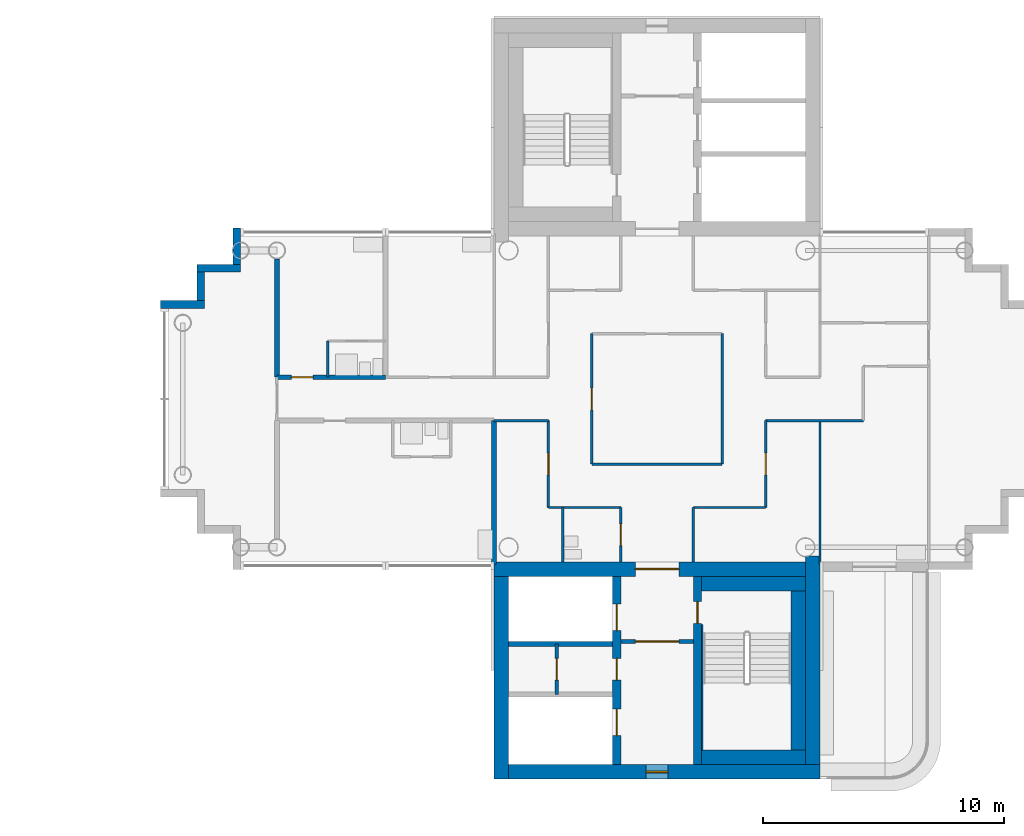
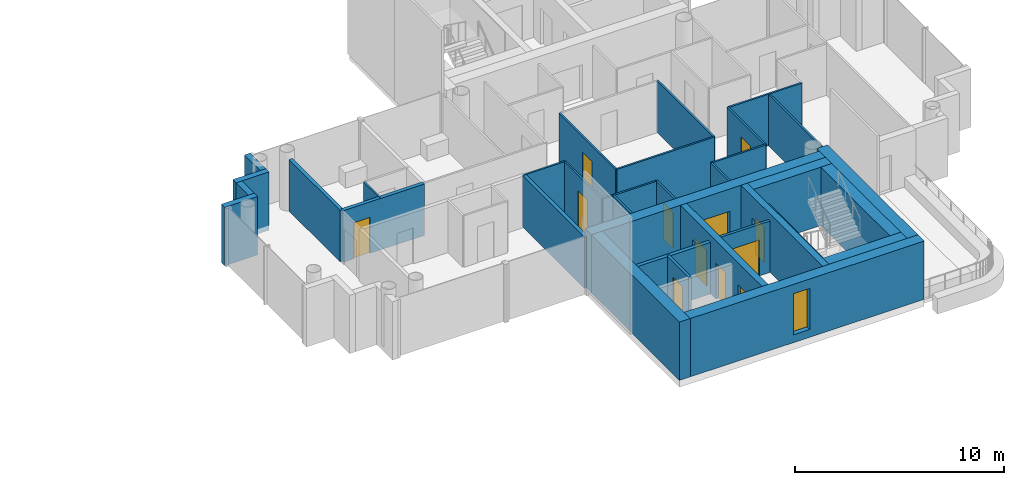
# One storey, part 9 of 18: 34 walls, 12 doors, 1 window, 13 openings.
"""IFC4 building model written with IfcOpenShell, lengths in metres."""

from ifc_helpers import new_model, si_unit, direction, frame, frame_2d, origin, place, context, subcontext, project, spatial, rectangle, extrude, material, layer, layer_set, type_object, element, fill, save


model = new_model("IFC4")

# Units and contexts
model_context = context("Model", 3, precision=1e-05, world=origin(), true_north=direction((0.0, 1.0)))
body_context = subcontext(model_context, "Body", "Model", "MODEL_VIEW")
ifc_project = project(units=[si_unit("LENGTHUNIT", "METRE"), si_unit("AREAUNIT", "SQUARE_METRE"), si_unit("VOLUMEUNIT", "CUBIC_METRE"), si_unit("PLANEANGLEUNIT", "RADIAN"), si_unit("MASSUNIT", "GRAM", prefix="KILO")], contexts=[model_context])

# Site, building, storey
site_placement = place(None, origin())
site = spatial("IfcSite", under=ifc_project, at=site_placement, CompositionType="ELEMENT")
building_placement = place(site_placement, origin())
building = spatial("IfcBuilding", under=site, at=building_placement, Name="Ipe Terrace Towers", CompositionType="ELEMENT")
storey_placement = place(building_placement, frame((0.0, 0.0, 213.0)))
storey = spatial("IfcBuildingStorey", under=building, at=storey_placement, Name="L59", CompositionType="ELEMENT", Elevation=213.0)

# Walls
ifc_material_1 = material(Name="Concrete C40/50 with buff precast cladding", Category="concrete")
ifc_layer_1 = layer(ifc_material_1, 0.320068359375)
ifc_layer_set_1 = layer_set([ifc_layer_1], Name="BUFF CLADDING WALL 320")
wall_type_1 = type_object("IfcWallType", Name="BUFF CLADDING WALL 320", PredefinedType="STANDARD", material=ifc_layer_set_1)
wall_1_placement = place(storey_placement, frame((18.590087890625, 7.070068359375, -0.300048828125), z_axis=(0.0, 0.0, 1.0), x_axis=(0.0, -1.0, 0.0)))
element("IfcWall", 1, at=wall_1_placement, inside=storey, type_object=wall_type_1, Name="T2-W-L59-22a wall", PredefinedType="STANDARD", context=body_context, shape_type="SweptSolid", body=[
    extrude(rectangle(XDim=1.5, YDim=0.320068359375, at=frame_2d((0.75, 0.0))), origin(), (0.0, 0.0, 1.0), 3.400146484375),
])
wall_2_placement = place(storey_placement, frame((18.75, 5.409912109375, -0.300048828125), z_axis=(0.0, 0.0, 1.0), x_axis=(-1.0, 0.0, 0.0)))
element("IfcWall", 2, at=wall_2_placement, inside=storey, type_object=wall_type_1, Name="T2-W-L59-23a wall", PredefinedType="STANDARD", context=body_context, shape_type="SweptSolid", body=[
    extrude(rectangle(XDim=1.820068359375, YDim=0.320068359375, at=frame_2d((0.91015625, 0.0))), origin(), (0.0, 0.0, 1.0), 3.400146484375),
])
wall_3_placement = place(storey_placement, frame((17.090087890625, 5.25, -0.300048828125), z_axis=(0.0, 0.0, 1.0), x_axis=(0.0, -1.0, 0.0)))
element("IfcWall", 3, at=wall_3_placement, inside=storey, type_object=wall_type_1, Name="T2-W-L59-24a wall", PredefinedType="STANDARD", context=body_context, shape_type="SweptSolid", body=[
    extrude(rectangle(XDim=1.179931640625, YDim=0.320068359375, at=frame_2d((0.58984375, 0.0))), origin(), (0.0, 0.0, 1.0), 3.400146484375),
])
wall_4_placement = place(storey_placement, frame((17.25, 3.909912109375, -0.300048828125), z_axis=(0.0, 0.0, 1.0), x_axis=(-1.0, 0.0, 0.0)))
element("IfcWall", 4, at=wall_4_placement, inside=storey, type_object=wall_type_1, Name="T2-W-L59-25a wall", PredefinedType="STANDARD", context=body_context, shape_type="SweptSolid", body=[
    extrude(rectangle(XDim=1.820068359375, YDim=0.320068359375, at=frame_2d((0.91015625, 0.0))), origin(), (0.0, 0.0, 1.0), 3.400146484375),
])
ifc_material_2 = material(Name="Gypsum board partition", Category="plasterboard")
ifc_layer_2 = layer(ifc_material_2, 0.10009765625)
ifc_layer_set_2 = layer_set([ifc_layer_2], Name="Gypsum board partition 100 mm")
wall_type_2 = type_object("IfcWallType", Name="Gypsum board partition 100 mm", PredefinedType="PARTITIONING", material=ifc_layer_set_2)
for number, where, z_axis, x_axis, name in (
    (5, (40.5, -4.5, 0.0), (0.0, 0.0, 1.0), (-1.0, 0.0, 0.0), "Gypsum board partition T2 L59 W01"),
    (6, (34.5, -4.5, 0.0), (0.0, 0.0, 1.0), (-1.0, 0.0, 0.0), "Gypsum board partition T2 L59 W02"),
):
    element("IfcWall", number, at=place(storey_placement, frame(where, z_axis=z_axis, x_axis=x_axis)), inside=storey, type_object=wall_type_2, Name=name, PredefinedType="PARTITIONING", context=body_context, shape_type="SweptSolid", body=[
        extrude(rectangle(XDim=3.0, YDim=0.10009765625, at=frame_2d((1.5, 0.0))), origin(), (0.0, 0.0, 1.0), 3.0),
    ])
wall_5_placement = place(storey_placement, frame((38.699951171875, -2.699951171875, 0.0), z_axis=(0.0, 0.0, 1.0), x_axis=(-1.0, 0.0, 0.0)))
element("IfcWall", 7, at=wall_5_placement, inside=storey, type_object=wall_type_2, Name="Gypsum board partition T2 L59 W03", PredefinedType="PARTITIONING", context=body_context, shape_type="SweptSolid", body=[
    extrude(rectangle(XDim=5.39990234375, YDim=0.10009765625, at=frame_2d((2.699951171875, 0.0))), origin(), (0.0, 0.0, 1.0), 3.0),
])
wall_6_placement = place(storey_placement, frame((44.550048828125, -0.89990234375, 0.0), z_axis=(0.0, 0.0, 1.0), x_axis=(-1.0, 0.0, 0.0)))
element("IfcWall", 8, at=wall_6_placement, inside=storey, type_object=wall_type_2, Name="Gypsum board partition T2 L59 W05", PredefinedType="PARTITIONING", context=body_context, shape_type="SweptSolid", body=[
    extrude(rectangle(XDim=4.050048828125, YDim=0.10009765625, at=frame_2d((2.02490234375, 0.0))), origin(), (0.0, 0.0, 1.0), 3.0),
])
wall_7_placement = place(storey_placement, frame((31.5, -0.89990234375, 0.0), z_axis=(0.0, 0.0, 1.0), x_axis=(-1.0, 0.0, 0.0)))
element("IfcWall", 9, at=wall_7_placement, inside=storey, type_object=wall_type_2, Name="Gypsum board partition T2 L59 W06", PredefinedType="PARTITIONING", context=body_context, shape_type="SweptSolid", body=[
    extrude(rectangle(XDim=2.25, YDim=0.10009765625, at=frame_2d((1.125, 0.0))), origin(), (0.0, 0.0, 1.0), 3.0),
])
wall_8_placement = place(storey_placement, frame((42.75, -6.85009765625, 0.0), z_axis=(0.0, 0.0, 1.0), x_axis=(0.0, 1.0, 0.0)))
element("IfcWall", 10, at=wall_8_placement, inside=storey, type_object=wall_type_2, Name="Gypsum board partition T2 L59 W19", PredefinedType="PARTITIONING", context=body_context, shape_type="SweptSolid", body=[
    extrude(rectangle(XDim=5.9501953125, YDim=0.10009765625, at=frame_2d((2.97509765625, 0.0))), origin(), (0.0, 0.0, 1.0), 3.0),
])

# Wall, opening, door
wall_9_placement = place(storey_placement, frame((40.5, -4.5, 0.0), z_axis=(0.0, 0.0, 1.0), x_axis=(0.0, 1.0, 0.0)))
wall_9 = element("IfcWall", 11, at=wall_9_placement, inside=storey, type_object=wall_type_2, Name="Gypsum board partition T2 L59 W21", PredefinedType="PARTITIONING", context=body_context, shape_type="SweptSolid", body=[
    extrude(rectangle(XDim=3.60009765625, YDim=0.10009765625, at=frame_2d((1.800048828125, 0.0))), origin(), (0.0, 0.0, 1.0), 3.0),
])
opening_1_placement = place(wall_9_placement, frame((1.35009765625, 0.0, 0.0)))
opening_1 = element("IfcOpeningElement", 12, at=opening_1_placement, cuts=wall_9, Name="Opening T2-Z4E-07", PredefinedType="OPENING", context=body_context, shape_type="SweptSolid", body=[
    extrude(rectangle(XDim=0.89990234375, YDim=2.10009765625, at=frame_2d((0.449951171875, 1.050048828125))), frame((0.0, 0.06005859375, 0.0), z_axis=(0.0, -1.0, 0.0), x_axis=(1.0, 0.0, 0.0)), (0.0, 0.0, 1.0), 0.1201171875),
])
ifc_material_3 = material(Name="Timber door leaf", Category="wood")
door_type_1 = type_object("IfcDoorType", Name="Lounge door 900 x 2100", OperationType="NOTDEFINED", PredefinedType="DOOR", material=ifc_material_3)
door_1_placement = place(opening_1_placement, origin())
door_1 = element("IfcDoor", 13, at=door_1_placement, inside=storey, type_object=door_type_1, Name="Lounge door T2-Z4E-07", OperationType="SINGLE_SWING_RIGHT", OverallHeight=2.10009765625, OverallWidth=0.89990234375, PredefinedType="DOOR", context=body_context, shape_type="SweptSolid", body=[
    extrude(rectangle(XDim=0.89990234375, YDim=2.10009765625, at=frame_2d((0.449951171875, 1.050048828125))), frame((0.0, 0.02490234375, 0.0), z_axis=(0.0, -1.0, 0.0), x_axis=(1.0, 0.0, 0.0)), (0.0, 0.0, 1.0), 0.050048828125),
])
fill(opening_1, door_1)

# Walls
wall_10_placement = place(storey_placement, frame((38.699951171875, -2.699951171875, 0.0), z_axis=(0.0, 0.0, 1.0), x_axis=(0.0, 1.0, 0.0)))
element("IfcWall", 14, at=wall_10_placement, inside=storey, type_object=wall_type_2, Name="Gypsum board partition T2 L59 W23", PredefinedType="PARTITIONING", context=body_context, shape_type="SweptSolid", body=[
    extrude(rectangle(XDim=5.39990234375, YDim=0.10009765625, at=frame_2d((2.699951171875, 0.0))), origin(), (0.0, 0.0, 1.0), 3.0),
])
wall_11_placement = place(storey_placement, frame((37.5, -6.75, 0.0), z_axis=(0.0, 0.0, 1.0), x_axis=(0.0, 1.0, 0.0)))
element("IfcWall", 15, at=wall_11_placement, inside=storey, type_object=wall_type_2, Name="Gypsum board partition T2 L59 W24", PredefinedType="PARTITIONING", context=body_context, shape_type="SweptSolid", body=[
    extrude(rectangle(XDim=2.25, YDim=0.10009765625, at=frame_2d((1.125, 0.0))), origin(), (0.0, 0.0, 1.0), 3.0),
])

# Wall, opening, door
wall_12_placement = place(storey_placement, frame((34.5, -6.75, 0.0), z_axis=(0.0, 0.0, 1.0), x_axis=(0.0, 1.0, 0.0)))
wall_12 = element("IfcWall", 16, at=wall_12_placement, inside=storey, type_object=wall_type_2, Name="Gypsum board partition T2 L59 W26", PredefinedType="PARTITIONING", context=body_context, shape_type="SweptSolid", body=[
    extrude(rectangle(XDim=2.25, YDim=0.10009765625, at=frame_2d((1.125, 0.0))), origin(), (0.0, 0.0, 1.0), 3.0),
])
opening_2_placement = place(wall_12_placement, frame((0.675048828125, 0.0, 0.0)))
opening_2 = element("IfcOpeningElement", 17, at=opening_2_placement, cuts=wall_12, Name="Opening T2-Z4E-03", PredefinedType="OPENING", context=body_context, shape_type="SweptSolid", body=[
    extrude(rectangle(XDim=0.89990234375, YDim=2.10009765625, at=frame_2d((0.449951171875, 1.050048828125))), frame((0.0, 0.06005859375, 0.0), z_axis=(0.0, -1.0, 0.0), x_axis=(1.0, 0.0, 0.0)), (0.0, 0.0, 1.0), 0.1201171875),
])
ifc_material_4 = material(Name="Timber door leaf", Category="wood")
door_type_2 = type_object("IfcDoorType", Name="Bathroom door 900 x 2100", OperationType="NOTDEFINED", PredefinedType="DOOR", material=ifc_material_4)
door_2_placement = place(opening_2_placement, origin())
door_2 = element("IfcDoor", 18, at=door_2_placement, inside=storey, type_object=door_type_2, Name="Bathroom door T2-Z4E-03", OperationType="SINGLE_SWING_LEFT", OverallHeight=2.10009765625, OverallWidth=0.89990234375, PredefinedType="DOOR", context=body_context, shape_type="SweptSolid", body=[
    extrude(rectangle(XDim=0.89990234375, YDim=2.10009765625, at=frame_2d((0.449951171875, 1.050048828125))), frame((0.0, 0.02490234375, 0.0), z_axis=(0.0, -1.0, 0.0), x_axis=(1.0, 0.0, 0.0)), (0.0, 0.0, 1.0), 0.050048828125),
])
fill(opening_2, door_2)

wall_13_placement = place(storey_placement, frame((33.300048828125, -2.699951171875, 0.0), z_axis=(0.0, 0.0, 1.0), x_axis=(0.0, 1.0, 0.0)))
wall_13 = element("IfcWall", 19, at=wall_13_placement, inside=storey, type_object=wall_type_2, Name="Gypsum board partition T2 L59 W28", PredefinedType="PARTITIONING", context=body_context, shape_type="SweptSolid", body=[
    extrude(rectangle(XDim=5.39990234375, YDim=0.10009765625, at=frame_2d((2.699951171875, 0.0))), origin(), (0.0, 0.0, 1.0), 3.0),
])
opening_3_placement = place(wall_13_placement, frame((2.25, 0.0, 0.0)))
opening_3 = element("IfcOpeningElement", 20, at=opening_3_placement, cuts=wall_13, Name="Opening T2-Z4E-01", PredefinedType="OPENING", context=body_context, shape_type="SweptSolid", body=[
    extrude(rectangle(XDim=0.89990234375, YDim=2.10009765625, at=frame_2d((0.449951171875, 1.050048828125))), frame((0.0, 0.06005859375, 0.0), z_axis=(0.0, -1.0, 0.0), x_axis=(1.0, 0.0, 0.0)), (0.0, 0.0, 1.0), 0.1201171875),
])
door_3_placement = place(opening_3_placement, origin())
door_3 = element("IfcDoor", 21, at=door_3_placement, inside=storey, type_object=door_type_1, Name="Lounge door T2-Z4E-01", OperationType="SINGLE_SWING_RIGHT", OverallHeight=2.10009765625, OverallWidth=0.89990234375, PredefinedType="DOOR", context=body_context, shape_type="SweptSolid", body=[
    extrude(rectangle(XDim=0.89990234375, YDim=2.10009765625, at=frame_2d((0.449951171875, 1.050048828125))), frame((0.0, 0.02490234375, 0.0), z_axis=(0.0, -1.0, 0.0), x_axis=(1.0, 0.0, 0.0)), (0.0, 0.0, 1.0), 0.050048828125),
])
fill(opening_3, door_3)

# Wall
wall_14_placement = place(storey_placement, frame((32.10009765625, -6.75, 0.0), z_axis=(0.0, 0.0, 1.0), x_axis=(0.0, 1.0, 0.0)))
element("IfcWall", 22, at=wall_14_placement, inside=storey, type_object=wall_type_2, Name="Gypsum board partition T2 L59 W29", PredefinedType="PARTITIONING", context=body_context, shape_type="SweptSolid", body=[
    extrude(rectangle(XDim=2.25, YDim=0.10009765625, at=frame_2d((1.125, 0.0))), origin(), (0.0, 0.0, 1.0), 3.0),
])

# Wall, opening, door
wall_15_placement = place(storey_placement, frame((31.5, -4.5, 0.0), z_axis=(0.0, 0.0, 1.0), x_axis=(0.0, 1.0, 0.0)))
wall_15 = element("IfcWall", 23, at=wall_15_placement, inside=storey, type_object=wall_type_2, Name="Gypsum board partition T2 L59 W30", PredefinedType="PARTITIONING", context=body_context, shape_type="SweptSolid", body=[
    extrude(rectangle(XDim=3.60009765625, YDim=0.10009765625, at=frame_2d((1.800048828125, 0.0))), origin(), (0.0, 0.0, 1.0), 3.0),
])
opening_4_placement = place(wall_15_placement, frame((1.35009765625, 0.0, 0.0)))
opening_4 = element("IfcOpeningElement", 24, at=opening_4_placement, cuts=wall_15, Name="Opening T2-Z4E-06", PredefinedType="OPENING", context=body_context, shape_type="SweptSolid", body=[
    extrude(rectangle(XDim=0.89990234375, YDim=2.10009765625, at=frame_2d((0.449951171875, 1.050048828125))), frame((0.0, 0.06005859375, 0.0), z_axis=(0.0, -1.0, 0.0), x_axis=(1.0, 0.0, 0.0)), (0.0, 0.0, 1.0), 0.1201171875),
])
door_4_placement = place(opening_4_placement, origin())
door_4 = element("IfcDoor", 25, at=door_4_placement, inside=storey, type_object=door_type_1, Name="Lounge door T2-Z4E-06", OperationType="SINGLE_SWING_RIGHT", OverallHeight=2.10009765625, OverallWidth=0.89990234375, PredefinedType="DOOR", context=body_context, shape_type="SweptSolid", body=[
    extrude(rectangle(XDim=0.89990234375, YDim=2.10009765625, at=frame_2d((0.449951171875, 1.050048828125))), frame((0.0, 0.02490234375, 0.0), z_axis=(0.0, -1.0, 0.0), x_axis=(1.0, 0.0, 0.0)), (0.0, 0.0, 1.0), 0.050048828125),
])
fill(opening_4, door_4)

# Wall
wall_16_placement = place(storey_placement, frame((22.35009765625, 0.89990234375, 0.0), z_axis=(0.0, 0.0, 1.0), x_axis=(0.0, 1.0, 0.0)))
element("IfcWall", 26, at=wall_16_placement, inside=storey, type_object=wall_type_2, Name="Gypsum board partition T2 L59 W37", PredefinedType="PARTITIONING", context=body_context, shape_type="SweptSolid", body=[
    extrude(rectangle(XDim=1.5, YDim=0.10009765625, at=frame_2d((0.75, 0.0))), origin(), (0.0, 0.0, 1.0), 3.0),
])

# Wall, opening, door
ifc_material_5 = material(Name="Gypsum board partition", Category="plasterboard")
ifc_layer_3 = layer(ifc_material_5, 0.14990234375)
ifc_layer_set_3 = layer_set([ifc_layer_3], Name="Gypsum board partition 150 mm")
wall_type_3 = type_object("IfcWallType", Name="Gypsum board partition 150 mm", PredefinedType="PARTITIONING", material=ifc_layer_set_3)
wall_17_placement = place(storey_placement, frame((34.5, -10.050048828125, 0.0), z_axis=(0.0, 0.0, 1.0), x_axis=(1.0, 0.0, 0.0)))
wall_17 = element("IfcWall", 27, at=wall_17_placement, inside=storey, type_object=wall_type_3, Name="Gypsum board partition T2 L59 t2c2-lobby-wall", PredefinedType="PARTITIONING", context=body_context, shape_type="SweptSolid", body=[
    extrude(rectangle(XDim=3.0, YDim=0.14990234375, at=frame_2d((1.5, 0.0))), origin(), (0.0, 0.0, 1.0), 3.0),
])
opening_5_placement = place(wall_17_placement, frame((0.60009765625, 0.0, 0.0)))
opening_5 = element("IfcOpeningElement", 28, at=opening_5_placement, cuts=wall_17, Name="Opening T2C2-VD", PredefinedType="OPENING", context=body_context, shape_type="SweptSolid", body=[
    extrude(rectangle(XDim=1.800048828125, YDim=2.10009765625, at=frame_2d((0.89990234375, 1.050048828125))), frame((0.0, 0.0849609375, 0.0), z_axis=(0.0, -1.0, 0.0), x_axis=(1.0, 0.0, 0.0)), (0.0, 0.0, 1.0), 0.169921875),
])
ifc_material_6 = material(Name="Fire-rated timber door leaf", Category="wood")
door_type_3 = type_object("IfcDoorType", Name="Lobby door 1800 x 2100 FD60", OperationType="NOTDEFINED", PredefinedType="DOOR", material=ifc_material_6)
door_5_placement = place(opening_5_placement, origin())
door_5 = element("IfcDoor", 29, at=door_5_placement, inside=storey, type_object=door_type_3, Name="Lobby door T2C2-VD", OperationType="SINGLE_SWING_LEFT", OverallHeight=2.10009765625, OverallWidth=1.800048828125, PredefinedType="DOOR", context=body_context, shape_type="SweptSolid", body=[
    extrude(rectangle(XDim=1.800048828125, YDim=2.10009765625, at=frame_2d((0.89990234375, 1.050048828125))), frame((0.0, 0.02490234375, 0.0), z_axis=(0.0, -1.0, 0.0), x_axis=(1.0, 0.0, 0.0)), (0.0, 0.0, 1.0), 0.050048828125),
])
fill(opening_5, door_5)

wall_18_placement = place(storey_placement, frame((31.85009765625, -10.14990234375, 0.0), z_axis=(0.0, 0.0, 1.0), x_axis=(0.0, -1.0, 0.0)))
wall_18 = element("IfcWall", 30, at=wall_18_placement, inside=storey, type_object=wall_type_3, Name="Gypsum board partition T2 L59 t2c2-q-back", PredefinedType="PARTITIONING", context=body_context, shape_type="SweptSolid", body=[
    extrude(rectangle(XDim=2.10009765625, YDim=0.14990234375, at=frame_2d((1.050048828125, 0.0))), origin(), (0.0, 0.0, 1.0), 3.0),
])
opening_6_placement = place(wall_18_placement, frame((0.60009765625, 0.0, 0.0)))
opening_6 = element("IfcOpeningElement", 31, at=opening_6_placement, cuts=wall_18, Name="Opening T2C2-RB-FD30S", PredefinedType="OPENING", context=body_context, shape_type="SweptSolid", body=[
    extrude(rectangle(XDim=0.89990234375, YDim=2.10009765625, at=frame_2d((0.449951171875, 1.050048828125))), frame((0.0, 0.0849609375, 0.0), z_axis=(0.0, -1.0, 0.0), x_axis=(1.0, 0.0, 0.0)), (0.0, 0.0, 1.0), 0.169921875),
])
ifc_material_7 = material(Name="Fire-rated timber door leaf", Category="wood")
door_type_4 = type_object("IfcDoorType", Name="Service door 900 x 2100 FD30S", OperationType="NOTDEFINED", PredefinedType="DOOR", material=ifc_material_7)
door_6_placement = place(opening_6_placement, origin())
door_6 = element("IfcDoor", 32, at=door_6_placement, inside=storey, type_object=door_type_4, Name="Service door T2C2-RB-FD30S", OperationType="SINGLE_SWING_LEFT", OverallHeight=2.10009765625, OverallWidth=0.89990234375, PredefinedType="DOOR", context=body_context, shape_type="SweptSolid", body=[
    extrude(rectangle(XDim=0.89990234375, YDim=2.10009765625, at=frame_2d((0.449951171875, 1.050048828125))), frame((0.0, 0.02490234375, 0.0), z_axis=(0.0, -1.0, 0.0), x_axis=(1.0, 0.0, 0.0)), (0.0, 0.0, 1.0), 0.050048828125),
])
fill(opening_6, door_6)

# Wall
ifc_material_8 = material(Name="Gypsum board party wall", Category="plasterboard")
ifc_layer_4 = layer(ifc_material_8, 0.199951171875)
ifc_layer_set_4 = layer_set([ifc_layer_4], Name="Gypsum board party wall 200 mm")
wall_type_4 = type_object("IfcWallType", Name="Gypsum board party wall 200 mm", PredefinedType="SOLIDWALL", material=ifc_layer_set_4)
wall_19_placement = place(storey_placement, frame((29.85009765625, -10.14990234375, 0.0), z_axis=(0.0, 0.0, 1.0), x_axis=(1.0, 0.0, 0.0)))
element("IfcWall", 33, at=wall_19_placement, inside=storey, type_object=wall_type_4, Name="Gypsum board party wall T2 L59 t2c2-shaft-div1", PredefinedType="SOLIDWALL", context=body_context, shape_type="SweptSolid", body=[
    extrude(rectangle(XDim=4.2998046875, YDim=0.199951171875, at=frame_2d((2.14990234375, 0.0))), origin(), (0.0, 0.0, 1.0), 3.0),
])

# Wall, opening, door
wall_20_placement = place(storey_placement, frame((24.75, 0.89990234375, 0.0), z_axis=(0.0, 0.0, 1.0), x_axis=(-1.0, 0.0, 0.0)))
wall_20 = element("IfcWall", 34, at=wall_20_placement, inside=storey, type_object=wall_type_4, Name="Gypsum board party wall T2 L59 W10", PredefinedType="SOLIDWALL", context=body_context, shape_type="SweptSolid", body=[
    extrude(rectangle(XDim=4.5, YDim=0.199951171875, at=frame_2d((2.25, 0.0))), origin(), (0.0, 0.0, 1.0), 3.0),
])
opening_7_placement = place(wall_20_placement, frame((3.0, 0.0, 0.0)))
opening_7 = element("IfcOpeningElement", 35, at=opening_7_placement, cuts=wall_20, Name="Opening T2-Z4E-13", PredefinedType="OPENING", context=body_context, shape_type="SweptSolid", body=[
    extrude(rectangle(XDim=0.89990234375, YDim=2.10009765625, at=frame_2d((0.449951171875, 1.050048828125))), frame((0.0, 0.10986328125, 0.0), z_axis=(0.0, -1.0, 0.0), x_axis=(1.0, 0.0, 0.0)), (0.0, 0.0, 1.0), 0.219970703125),
])
ifc_material_9 = material(Name="Fire-rated timber door leaf", Category="wood")
door_type_5 = type_object("IfcDoorType", Name="Flat entrance door 900 x 2100 FD30S", OperationType="NOTDEFINED", PredefinedType="DOOR", material=ifc_material_9)
door_7_placement = place(opening_7_placement, origin())
door_7 = element("IfcDoor", 36, at=door_7_placement, inside=storey, type_object=door_type_5, Name="Flat entrance door T2-Z4E-13", OperationType="SINGLE_SWING_RIGHT", OverallHeight=2.10009765625, OverallWidth=0.89990234375, PredefinedType="DOOR", context=body_context, shape_type="SweptSolid", body=[
    extrude(rectangle(XDim=0.89990234375, YDim=2.10009765625, at=frame_2d((0.449951171875, 1.050048828125))), frame((0.0, 0.02490234375, 0.0), z_axis=(0.0, -1.0, 0.0), x_axis=(1.0, 0.0, 0.0)), (0.0, 0.0, 1.0), 0.050048828125),
])
fill(opening_7, door_7)

# Walls
wall_21_placement = place(storey_placement, frame((29.25, -6.85009765625, 0.0), z_axis=(0.0, 0.0, 1.0), x_axis=(0.0, 1.0, 0.0)))
element("IfcWall", 37, at=wall_21_placement, inside=storey, type_object=wall_type_4, Name="Gypsum board party wall T2 L59 W33", PredefinedType="SOLIDWALL", context=body_context, shape_type="SweptSolid", body=[
    extrude(rectangle(XDim=5.9501953125, YDim=0.199951171875, at=frame_2d((2.97509765625, 0.0))), origin(), (0.0, 0.0, 1.0), 3.0),
])
wall_22_placement = place(storey_placement, frame((20.25, 0.89990234375, 0.0), z_axis=(0.0, 0.0, 1.0), x_axis=(0.0, 1.0, 0.0)))
element("IfcWall", 38, at=wall_22_placement, inside=storey, type_object=wall_type_4, Name="Gypsum board party wall T2 L59 W40", PredefinedType="SOLIDWALL", context=body_context, shape_type="SweptSolid", body=[
    extrude(rectangle(XDim=4.900146484375, YDim=0.199951171875, at=frame_2d((2.4501953125, 0.0))), origin(), (0.0, 0.0, 1.0), 3.0),
])

# Wall, openings, doors
ifc_material_10 = material(Name="Concrete C40/50", Category="concrete")
ifc_layer_5 = layer(ifc_material_10, 0.35009765625)
ifc_layer_set_5 = layer_set([ifc_layer_5], Name="RW350 CORE SPINE WALL 350 C40-50")
wall_type_5 = type_object("IfcWallType", Name="RW350 CORE SPINE WALL 350 C40-50", PredefinedType="SHEAR", material=ifc_layer_set_5)
wall_23_placement = place(storey_placement, frame((34.324951171875, -15.14990234375, 0.0), z_axis=(0.0, 0.0, 1.0), x_axis=(0.0, 1.0, 0.0)))
wall_23 = element("IfcWall", 39, at=wall_23_placement, inside=storey, type_object=wall_type_5, Name="Core spine wall T2-C2-Z4-SW1", PredefinedType="SHEAR", context=body_context, shape_type="SweptSolid", body=[
    extrude(rectangle(XDim=7.7998046875, YDim=0.35009765625, at=frame_2d((3.89990234375, 0.0))), origin(), (0.0, 0.0, 1.0), 3.39990234375),
])
opening_8_placement = place(wall_23_placement, frame((5.550048828125, 0.0, 0.0)))
opening_8 = element("IfcOpeningElement", 40, at=opening_8_placement, cuts=wall_23, Name="Opening T2C2-LD1", PredefinedType="OPENING", context=body_context, shape_type="SweptSolid", body=[
    extrude(rectangle(XDim=1.10009765625, YDim=2.10009765625, at=frame_2d((0.550048828125, 1.050048828125))), frame((0.0, 0.18505859375, 0.0), z_axis=(0.0, -1.0, 0.0), x_axis=(1.0, 0.0, 0.0)), (0.0, 0.0, 1.0), 0.3701171875),
])
opening_9_placement = place(wall_23_placement, frame((1.199951171875, 0.0, 0.0)))
opening_9 = element("IfcOpeningElement", 41, at=opening_9_placement, cuts=wall_23, Name="Opening T2C2-LD3", PredefinedType="OPENING", context=body_context, shape_type="SweptSolid", body=[
    extrude(rectangle(XDim=1.10009765625, YDim=2.10009765625, at=frame_2d((0.550048828125, 1.050048828125))), frame((0.0, 0.18505859375, 0.0), z_axis=(0.0, -1.0, 0.0), x_axis=(1.0, 0.0, 0.0)), (0.0, 0.0, 1.0), 0.3701171875),
])
opening_10_placement = place(wall_23_placement, frame((3.5, 0.0, 0.0)))
opening_10 = element("IfcOpeningElement", 42, at=opening_10_placement, cuts=wall_23, Name="Opening T2C2-R1", PredefinedType="OPENING", context=body_context, shape_type="SweptSolid", body=[
    extrude(rectangle(XDim=0.89990234375, YDim=2.10009765625, at=frame_2d((0.449951171875, 1.050048828125))), frame((0.0, 0.18505859375, 0.0), z_axis=(0.0, -1.0, 0.0), x_axis=(1.0, 0.0, 0.0)), (0.0, 0.0, 1.0), 0.3701171875),
])
ifc_material_11 = material(Name="Fire-rated timber door leaf", Category="wood")
door_type_6 = type_object("IfcDoorType", Name="Sliding door 1100 x 2100 FD60", OperationType="SLIDING_TO_LEFT", PredefinedType="DOOR", material=ifc_material_11)
door_8_placement = place(opening_8_placement, origin())
door_8 = element("IfcDoor", 43, at=door_8_placement, inside=storey, type_object=door_type_6, Name="Sliding door T2C2-LD1", OperationType="SLIDING_TO_LEFT", OverallHeight=2.10009765625, OverallWidth=1.10009765625, PredefinedType="DOOR", context=body_context, shape_type="SweptSolid", body=[
    extrude(rectangle(XDim=1.10009765625, YDim=2.10009765625, at=frame_2d((0.550048828125, 1.050048828125))), frame((0.0, 0.02490234375, 0.0), z_axis=(0.0, -1.0, 0.0), x_axis=(1.0, 0.0, 0.0)), (0.0, 0.0, 1.0), 0.050048828125),
])
fill(opening_8, door_8)
door_9_placement = place(opening_9_placement, origin())
door_9 = element("IfcDoor", 44, at=door_9_placement, inside=storey, type_object=door_type_6, Name="Sliding door T2C2-LD3", OperationType="SLIDING_TO_LEFT", OverallHeight=2.10009765625, OverallWidth=1.10009765625, PredefinedType="DOOR", context=body_context, shape_type="SweptSolid", body=[
    extrude(rectangle(XDim=1.10009765625, YDim=2.10009765625, at=frame_2d((0.550048828125, 1.050048828125))), frame((0.0, 0.02490234375, 0.0), z_axis=(0.0, -1.0, 0.0), x_axis=(1.0, 0.0, 0.0)), (0.0, 0.0, 1.0), 0.050048828125),
])
fill(opening_9, door_9)
ifc_material_12 = material(Name="Timber door leaf", Category="wood")
door_type_7 = type_object("IfcDoorType", Name="Store door 900 x 2100", OperationType="NOTDEFINED", PredefinedType="DOOR", material=ifc_material_12)
door_10_placement = place(opening_10_placement, origin())
door_10 = element("IfcDoor", 45, at=door_10_placement, inside=storey, type_object=door_type_7, Name="Store door T2C2-R1", OperationType="SINGLE_SWING_LEFT", OverallHeight=2.10009765625, OverallWidth=0.89990234375, PredefinedType="DOOR", context=body_context, shape_type="SweptSolid", body=[
    extrude(rectangle(XDim=0.89990234375, YDim=2.10009765625, at=frame_2d((0.449951171875, 1.050048828125))), frame((0.0, 0.02490234375, 0.0), z_axis=(0.0, -1.0, 0.0), x_axis=(1.0, 0.0, 0.0)), (0.0, 0.0, 1.0), 0.050048828125),
])
fill(opening_10, door_10)

# Wall, opening, door
wall_24_placement = place(storey_placement, frame((37.675048828125, -15.14990234375, 0.0), z_axis=(0.0, 0.0, 1.0), x_axis=(0.0, 1.0, 0.0)))
wall_24 = element("IfcWall", 46, at=wall_24_placement, inside=storey, type_object=wall_type_5, Name="Core spine wall T2-C2-Z4-SW2", PredefinedType="SHEAR", context=body_context, shape_type="SweptSolid", body=[
    extrude(rectangle(XDim=7.7998046875, YDim=0.35009765625, at=frame_2d((3.89990234375, 0.0))), origin(), (0.0, 0.0, 1.0), 3.39990234375),
])
opening_11_placement = place(wall_24_placement, frame((5.85009765625, 0.0, 0.0)))
opening_11 = element("IfcOpeningElement", 47, at=opening_11_placement, cuts=wall_24, Name="Opening T2C2-SD", PredefinedType="OPENING", context=body_context, shape_type="SweptSolid", body=[
    extrude(rectangle(XDim=0.89990234375, YDim=2.10009765625, at=frame_2d((0.449951171875, 1.050048828125))), frame((0.0, 0.18505859375, 0.0), z_axis=(0.0, -1.0, 0.0), x_axis=(1.0, 0.0, 0.0)), (0.0, 0.0, 1.0), 0.3701171875),
])
ifc_material_13 = material(Name="Fire-rated timber door leaf", Category="wood")
door_type_8 = type_object("IfcDoorType", Name="Stair door 900 x 2100 FD60", OperationType="NOTDEFINED", PredefinedType="DOOR", material=ifc_material_13)
door_11_placement = place(opening_11_placement, origin())
door_11 = element("IfcDoor", 48, at=door_11_placement, inside=storey, type_object=door_type_8, Name="Stair door T2C2-SD", OperationType="SINGLE_SWING_RIGHT", OverallHeight=2.10009765625, OverallWidth=0.89990234375, PredefinedType="DOOR", context=body_context, shape_type="SweptSolid", body=[
    extrude(rectangle(XDim=0.89990234375, YDim=2.10009765625, at=frame_2d((0.449951171875, 1.050048828125))), frame((0.0, 0.02490234375, 0.0), z_axis=(0.0, -1.0, 0.0), x_axis=(1.0, 0.0, 0.0)), (0.0, 0.0, 1.0), 0.050048828125),
])
fill(opening_11, door_11)

# Walls
ifc_material_14 = material(Name="Concrete C40/50", Category="concrete")
ifc_layer_6 = layer(ifc_material_14, 0.050048828125)
ifc_layer_set_6 = layer_set([ifc_layer_6], Name="RW50 CORE INFILL WALL 50 C40-50")
wall_type_6 = type_object("IfcWallType", Name="RW50 CORE INFILL WALL 50 C40-50", PredefinedType="SHEAR", material=ifc_layer_set_6)
wall_25_placement = place(storey_placement, frame((37.875, -9.35009765625, 0.0), z_axis=(0.0, 0.0, 1.0), x_axis=(0.0, -1.0, 0.0)))
element("IfcWall", 49, at=wall_25_placement, inside=storey, type_object=wall_type_6, Name="Core infill wall T2-C2-spine-b", PredefinedType="SHEAR", context=body_context, shape_type="SweptSolid", body=[
    extrude(rectangle(XDim=5.199951171875, YDim=0.050048828125, at=frame_2d((2.60009765625, 0.0))), origin(), (0.0, 0.0, 1.0), 3.39990234375),
])
ifc_material_15 = material(Name="Concrete C40/50", Category="concrete")
ifc_layer_7 = layer(ifc_material_15, 0.60009765625)
ifc_layer_set_7 = layer_set([ifc_layer_7], Name="RW600 CORE INFILL WALL 600 C40-50")
wall_type_7 = type_object("IfcWallType", Name="RW600 CORE INFILL WALL 600 C40-50", PredefinedType="SHEAR", material=ifc_layer_set_7)
wall_26_placement = place(storey_placement, frame((37.85009765625, -14.85009765625, 0.0), z_axis=(0.0, 0.0, 1.0), x_axis=(1.0, 0.0, 0.0)))
element("IfcWall", 50, at=wall_26_placement, inside=storey, type_object=wall_type_7, Name="Core infill wall T2-C2-far", PredefinedType="SHEAR", context=body_context, shape_type="SweptSolid", body=[
    extrude(rectangle(XDim=4.2998046875, YDim=0.60009765625, at=frame_2d((2.14990234375, 0.0))), origin(), (0.0, 0.0, 1.0), 3.39990234375),
])
wall_27_placement = place(storey_placement, frame((41.85009765625, -7.949951171875, 0.0), z_axis=(0.0, 0.0, 1.0), x_axis=(0.0, -1.0, 0.0)))
element("IfcWall", 51, at=wall_27_placement, inside=storey, type_object=wall_type_7, Name="Core infill wall T2-C2-back", PredefinedType="SHEAR", context=body_context, shape_type="SweptSolid", body=[
    extrude(rectangle(XDim=6.60009765625, YDim=0.60009765625, at=frame_2d((3.300048828125, 0.0))), origin(), (0.0, 0.0, 1.0), 3.39990234375),
])
wall_28_placement = place(storey_placement, frame((37.85009765625, -7.64990234375, 0.0), z_axis=(0.0, 0.0, 1.0), x_axis=(1.0, 0.0, 0.0)))
element("IfcWall", 52, at=wall_28_placement, inside=storey, type_object=wall_type_7, Name="Core infill wall T2-C2-near", PredefinedType="SHEAR", context=body_context, shape_type="SweptSolid", body=[
    extrude(rectangle(XDim=4.2998046875, YDim=0.60009765625, at=frame_2d((2.14990234375, 0.0))), origin(), (0.0, 0.0, 1.0), 3.39990234375),
])

# Wall, opening, window
ifc_material_16 = material(Name="Concrete C40/50", Category="concrete")
ifc_layer_8 = layer(ifc_material_16, 0.60009765625)
ifc_layer_set_8 = layer_set([ifc_layer_8], Name="RW600 CORE WALL 600 C40-50")
wall_type_8 = type_object("IfcWallType", Name="RW600 CORE WALL 600 C40-50", PredefinedType="SHEAR", material=ifc_layer_set_8)
wall_29_placement = place(storey_placement, frame((29.85009765625, -15.449951171875, 0.0), z_axis=(0.0, 0.0, 1.0), x_axis=(1.0, 0.0, 0.0)))
wall_29 = element("IfcWall", 53, at=wall_29_placement, inside=storey, type_object=wall_type_8, Name="Core wall T2-C2-Z4-W01", PredefinedType="SHEAR", context=body_context, shape_type="SweptSolid", body=[
    extrude(rectangle(XDim=12.89990234375, YDim=0.60009765625, at=frame_2d((6.449951171875, 0.0))), origin(), (0.0, 0.0, 1.0), 3.39990234375),
])
opening_12_placement = place(wall_29_placement, frame((5.699951171875, 0.0, 0.449951171875)))
opening_12 = element("IfcOpeningElement", 54, at=opening_12_placement, cuts=wall_29, Name="Opening T2-C2-W-01-L59", PredefinedType="OPENING", context=body_context, shape_type="SweptSolid", body=[
    extrude(rectangle(XDim=0.89990234375, YDim=2.39990234375, at=frame_2d((0.449951171875, 1.199951171875))), frame((0.0, 0.31005859375, 0.0), z_axis=(0.0, -1.0, 0.0), x_axis=(1.0, 0.0, 0.0)), (0.0, 0.0, 1.0), 0.6201171875),
])
ifc_material_17 = material(Name="Fire-resistant glazing EI 60", Category="glass")
window_type = type_object("IfcWindowType", Name="CORRIDOR END SLOT WINDOW 900 x 2400 EI 60", PartitioningType="SINGLE_PANEL", PredefinedType="WINDOW", material=ifc_material_17)
window_placement = place(opening_12_placement, origin())
window = element("IfcWindow", 55, at=window_placement, inside=storey, type_object=window_type, Name="W-01 window", OverallHeight=2.39990234375, OverallWidth=0.89990234375, PartitioningType="SINGLE_PANEL", PredefinedType="WINDOW", context=body_context, shape_type="SweptSolid", body=[
    extrude(rectangle(XDim=0.89990234375, YDim=2.39990234375, at=frame_2d((0.449951171875, 1.199951171875))), frame((0.0, 0.030029296875, 0.0), z_axis=(0.0, -1.0, 0.0), x_axis=(1.0, 0.0, 0.0)), (0.0, 0.0, 1.0), 0.06005859375),
])
fill(opening_12, window)

# Wall
wall_30_placement = place(storey_placement, frame((42.449951171875, -15.14990234375, 0.0), z_axis=(0.0, 0.0, 1.0), x_axis=(0.0, 1.0, 0.0)))
element("IfcWall", 56, at=wall_30_placement, inside=storey, type_object=wall_type_8, Name="Core wall T2-C2-Z4-W02", PredefinedType="SHEAR", context=body_context, shape_type="SweptSolid", body=[
    extrude(rectangle(XDim=8.64794921875, YDim=0.60009765625, at=frame_2d((4.323974609375, 0.0))), origin(), (0.0, 0.0, 1.0), 3.39990234375),
])

# Wall, opening, door
wall_31_placement = place(storey_placement, frame((42.14990234375, -7.050048828125, 0.0), z_axis=(0.0, 0.0, 1.0), x_axis=(-1.0, 0.0, 0.0)))
wall_31 = element("IfcWall", 57, at=wall_31_placement, inside=storey, type_object=wall_type_8, Name="Core wall T2-C2-Z4-W03", PredefinedType="SHEAR", context=body_context, shape_type="SweptSolid", body=[
    extrude(rectangle(XDim=12.89990234375, YDim=0.60009765625, at=frame_2d((6.449951171875, 0.0))), origin(), (0.0, 0.0, 1.0), 3.39990234375),
])
opening_13_placement = place(wall_31_placement, frame((5.25, 0.0, 0.0)))
opening_13 = element("IfcOpeningElement", 58, at=opening_13_placement, cuts=wall_31, Name="Opening T2C2-ND", PredefinedType="OPENING", context=body_context, shape_type="SweptSolid", body=[
    extrude(rectangle(XDim=1.800048828125, YDim=2.10009765625, at=frame_2d((0.89990234375, 1.050048828125))), frame((0.0, 0.31005859375, 0.0), z_axis=(0.0, -1.0, 0.0), x_axis=(1.0, 0.0, 0.0)), (0.0, 0.0, 1.0), 0.6201171875),
])
ifc_material_18 = material(Name="Fire-rated timber door leaf", Category="wood")
door_type_9 = type_object("IfcDoorType", Name="Fire door 1800 x 2100 FD30S", OperationType="NOTDEFINED", PredefinedType="DOOR", material=ifc_material_18)
door_12_placement = place(opening_13_placement, origin())
door_12 = element("IfcDoor", 59, at=door_12_placement, inside=storey, type_object=door_type_9, Name="Fire door T2C2-ND", OperationType="SINGLE_SWING_LEFT", OverallHeight=2.10009765625, OverallWidth=1.800048828125, PredefinedType="DOOR", context=body_context, shape_type="SweptSolid", body=[
    extrude(rectangle(XDim=1.800048828125, YDim=2.10009765625, at=frame_2d((0.89990234375, 1.050048828125))), frame((0.0, 0.02490234375, 0.0), z_axis=(0.0, -1.0, 0.0), x_axis=(1.0, 0.0, 0.0)), (0.0, 0.0, 1.0), 0.050048828125),
])
fill(opening_13, door_12)

# Wall
wall_32_placement = place(storey_placement, frame((29.550048828125, -7.35009765625, 0.0), z_axis=(0.0, 0.0, 1.0), x_axis=(0.0, -1.0, 0.0)))
element("IfcWall", 60, at=wall_32_placement, inside=storey, type_object=wall_type_8, Name="Core wall T2-C2-Z4-W04", PredefinedType="SHEAR", context=body_context, shape_type="SweptSolid", body=[
    extrude(rectangle(XDim=8.39990234375, YDim=0.60009765625, at=frame_2d((4.199951171875, 0.0))), origin(), (0.0, 0.0, 1.0), 3.39990234375),
])

save(model, "model.ifc")
